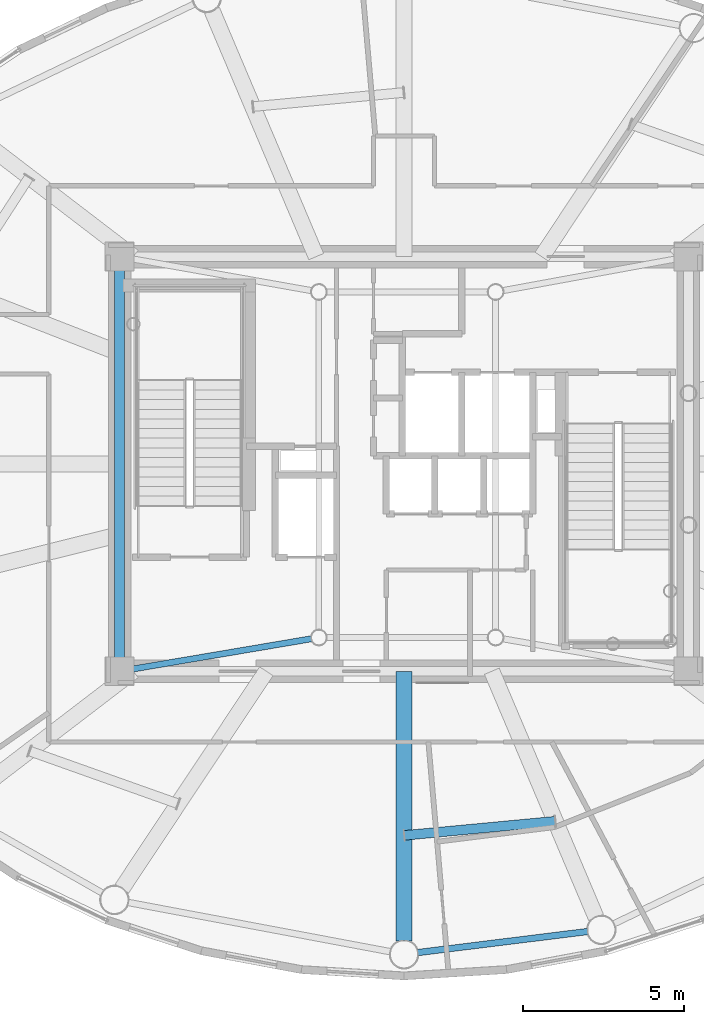
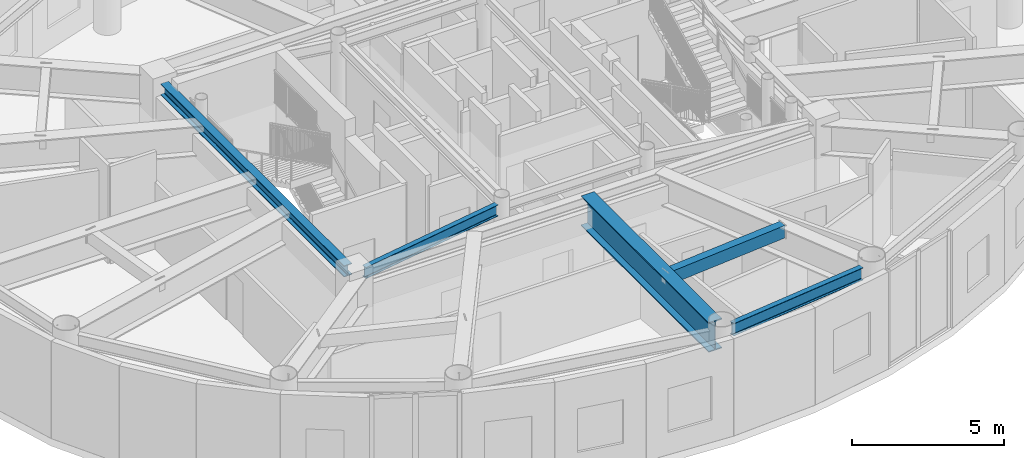
# One storey, part 5 of 26: 5 beams.
"""IFC4 building model written with IfcOpenShell, lengths in metres."""

from ifc_helpers import new_model, si_unit, direction, frame, origin, origin_2d, place, context, subcontext, project, spatial, hollow_rectangle, i_section, extrude, material, material_profile, profile_set, type_object, element, save


model = new_model("IFC4")

# Units and contexts
model_context = context("Model", 3, precision=1e-05, world=origin(), true_north=direction((0.0, 1.0)))
body_context = subcontext(model_context, "Body", "Model", "MODEL_VIEW")
ifc_project = project(units=[si_unit("LENGTHUNIT", "METRE"), si_unit("AREAUNIT", "SQUARE_METRE"), si_unit("VOLUMEUNIT", "CUBIC_METRE"), si_unit("PLANEANGLEUNIT", "RADIAN"), si_unit("MASSUNIT", "GRAM", prefix="KILO")], contexts=[model_context])

# Site, building, storey
site_placement = place(None, origin())
site = spatial("IfcSite", under=ifc_project, at=site_placement, CompositionType="ELEMENT")
building_placement = place(site_placement, origin())
building = spatial("IfcBuilding", under=site, at=building_placement, Name="Linh Dai School and Residence Tower", CompositionType="ELEMENT")
storey_placement = place(building_placement, frame((0.0, 0.0, 346.800048828125)))
storey = spatial("IfcBuildingStorey", under=building, at=storey_placement, Name="L86", CompositionType="ELEMENT", Elevation=346.800048828125)

# Beams
ifc_material = material(Name="Structural Steel S355JR", Category="steel")
ifc_material_profile_1 = material_profile(ifc_material, hollow_rectangle(XDim=0.300048828125, YDim=0.5, WallThickness=0.01611328125, at=origin_2d()), Name="RHS 500x300x16")
ifc_profile_set_1 = profile_set([ifc_material_profile_1], Name="Structural Steel S355JR")
beam_type_1 = type_object("IfcBeamType", Name="BM-BX5", PredefinedType="BEAM", material=ifc_profile_set_1)
beam_1_placement = place(storey_placement, frame((36.0048828125, 15.443603515625, 3.64990234375), z_axis=(0.995632572685, 0.093358343008, 0.0), x_axis=(-0.093358343008, 0.995632572685, 0.0)))
element("IfcBeam", 1, at=beam_1_placement, inside=storey, type_object=beam_type_1, Name="L86 Secondary Circumferential Floor Beam 07", PredefinedType="BEAM", context=body_context, shape_type="SweptSolid", body=[
    extrude(hollow_rectangle(XDim=0.300048828125, YDim=0.5, WallThickness=0.01611328125, at=origin_2d()), origin(), (0.0, 0.0, 1.0), 4.717529296875),
])
ifc_material_profile_2 = material_profile(ifc_material, i_section(OverallWidth=0.199951171875, OverallDepth=0.5, WebThickness=0.01025390625, FlangeThickness=0.01611328125, FilletRadius=0.02099609375, at=origin_2d()), Name="IPE 500")
ifc_profile_set_2 = profile_set([ifc_material_profile_2], Name="Structural Steel S355JR")
beam_type_2 = type_object("IfcBeamType", Name="BM-RB50", PredefinedType="BEAM", material=ifc_profile_set_2)
beam_2_placement = place(storey_placement, frame((36.416748046875, 11.796630859375, 3.64990234375), z_axis=(0.992398979221, 0.123062041428, 0.0), x_axis=(-0.123062041428, 0.992398979221, 0.0)))
element("IfcBeam", 2, at=beam_2_placement, inside=storey, type_object=beam_type_2, Name="L86 Perimeter Elliptical Ring Beam 13", PredefinedType="BEAM", context=body_context, shape_type="SweptSolid", body=[
    extrude(i_section(OverallWidth=0.199951171875, OverallDepth=0.5, WebThickness=0.01025390625, FlangeThickness=0.01611328125, FilletRadius=0.02099609375, at=origin_2d()), origin(), (0.0, 0.0, 1.0), 5.344482421875),
])
ifc_material_profile_3 = material_profile(ifc_material, i_section(OverallWidth=0.300048828125, OverallDepth=0.449951171875, WebThickness=0.013916015625, FlangeThickness=0.02587890625, FilletRadius=0.027099609375, at=origin_2d()), Name="HEB 450")
ifc_profile_set_3 = profile_set([ifc_material_profile_3], Name="Structural Steel S355JR")
beam_type_3 = type_object("IfcBeamType", Name="BM-RG45", PredefinedType="BEAM", material=ifc_profile_set_3)
beam_3_placement = place(storey_placement, frame((27.14990234375, 33.030029296875, 3.675048828125), z_axis=(0.0, -1.0, 0.0), x_axis=(1.0, 0.0, 0.0)))
element("IfcBeam", 3, at=beam_3_placement, inside=storey, type_object=beam_type_3, Name="L86 Core Perimeter Coupling Girder 4", PredefinedType="BEAM", context=body_context, shape_type="SweptSolid", body=[
    extrude(i_section(OverallWidth=0.300048828125, OverallDepth=0.449951171875, WebThickness=0.013916015625, FlangeThickness=0.02587890625, FilletRadius=0.027099609375, at=origin_2d()), origin(), (0.0, 0.0, 1.0), 12.06005859375),
])
ifc_material_profile_4 = material_profile(ifc_material, i_section(OverallWidth=0.18994140625, OverallDepth=0.449951171875, WebThickness=0.009521484375, FlangeThickness=0.0146484375, FilletRadius=0.02099609375, at=origin_2d()), Name="IPE 450")
ifc_profile_set_4 = profile_set([ifc_material_profile_4], Name="Structural Steel S355JR")
beam_type_4 = type_object("IfcBeamType", Name="BM-SB45", PredefinedType="BEAM", material=ifc_profile_set_4)
beam_4_placement = place(storey_placement, frame((27.564208984375, 20.6201171875, 3.675048828125), z_axis=(0.98596270559, 0.166965694638, 0.0), x_axis=(-0.166965694638, 0.98596270559, 0.0)))
element("IfcBeam", 4, at=beam_4_placement, inside=storey, type_object=beam_type_4, Name="L86 Core Corner-to-Mast Pier Beam 1", PredefinedType="BEAM", context=body_context, shape_type="SweptSolid", body=[
    extrude(i_section(OverallWidth=0.18994140625, OverallDepth=0.449951171875, WebThickness=0.009521484375, FlangeThickness=0.0146484375, FilletRadius=0.02099609375, at=origin_2d()), origin(), (0.0, 0.0, 1.0), 5.644287109375),
])
ifc_material_profile_5 = material_profile(ifc_material, i_section(OverallWidth=0.5, OverallDepth=1.199951171875, WebThickness=0.02392578125, FlangeThickness=0.044921875, at=origin_2d()), Name="PG 1200x500x24x45")
ifc_profile_set_5 = profile_set([ifc_material_profile_5], Name="Structural Steel S355JR")
beam_type_5 = type_object("IfcBeamType", Name="BM-TG12", PredefinedType="BEAM", material=ifc_profile_set_5)
beam_5_placement = place(storey_placement, frame((36.0, 20.550048828125, 3.300048828125), z_axis=(0.0, -1.0, 0.0), x_axis=(1.0, 0.0, 0.0)))
element("IfcBeam", 5, at=beam_5_placement, inside=storey, type_object=beam_type_5, Name="L86 Primary Radial Floor Girder 13", PredefinedType="BEAM", context=body_context, shape_type="SweptSolid", body=[
    extrude(i_section(OverallWidth=0.5, OverallDepth=1.199951171875, WebThickness=0.02392578125, FlangeThickness=0.044921875, at=origin_2d()), origin(), (0.0, 0.0, 1.0), 8.385009765625),
])

save(model, "model.ifc")
